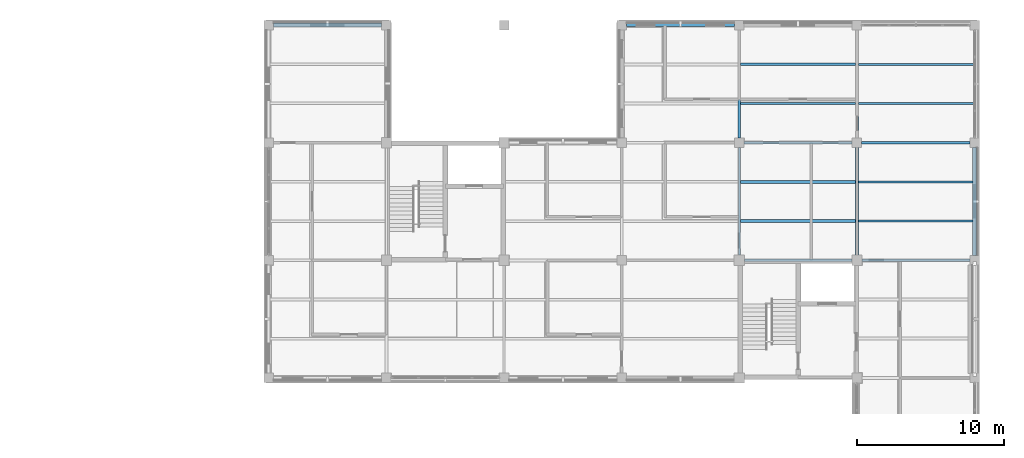
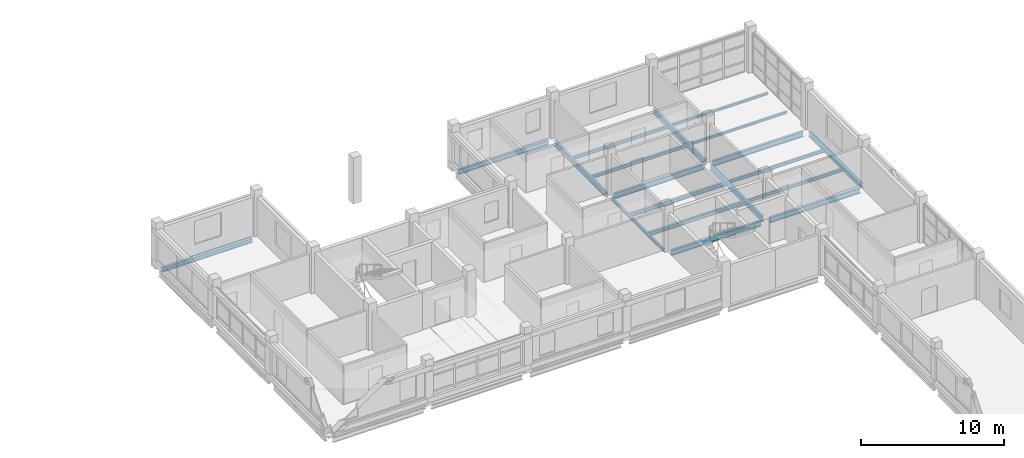
# One storey, part 46 of 92: 19 beams.
"""IFC4 building model written with IfcOpenShell, lengths in metres."""

from ifc_helpers import new_model, si_unit, derived_unit, direction, frame, origin, origin_2d, place, context, subcontext, project, spatial, i_section, extrude, material, material_profile, profile_set, type_object, element, save


model = new_model("IFC4")

# Units and contexts
model_context = context("Model", 3, precision=1e-05, world=origin(), true_north=direction((0.0, 1.0)))
body_context = subcontext(model_context, "Body", "Model", "MODEL_VIEW")
ifc_project = project(units=[si_unit("LENGTHUNIT", "METRE"), si_unit("AREAUNIT", "SQUARE_METRE"), si_unit("VOLUMEUNIT", "CUBIC_METRE"), si_unit("PLANEANGLEUNIT", "RADIAN"), si_unit("MASSUNIT", "GRAM", prefix="KILO"), derived_unit("THERMALTRANSMITTANCEUNIT", [(si_unit("MASSUNIT", "GRAM", prefix="KILO"), 1), (si_unit("TIMEUNIT", "SECOND"), -3), (si_unit("THERMODYNAMICTEMPERATUREUNIT", "KELVIN"), -1)])], contexts=[model_context])

# Site, building, storey
site_placement = place(None, origin())
site = spatial("IfcSite", under=ifc_project, at=site_placement, CompositionType="ELEMENT")
building_placement = place(site_placement, origin())
building = spatial("IfcBuilding", under=site, at=building_placement, Name="Veyamyaing Civic Hall", CompositionType="ELEMENT")
storey_placement = place(building_placement, frame((0.0, 0.0, 17.820068359375)))
storey = spatial("IfcBuildingStorey", under=building, at=storey_placement, Name="L04", CompositionType="ELEMENT", Elevation=17.820068359375)

# Beams
ifc_material = material(Name="Steel ASTM A992", Category="steel")
ifc_material_profile_1 = material_profile(ifc_material, i_section(OverallWidth=0.19189453125, OverallDepth=0.462890625, WebThickness=0.010498046875, FlangeThickness=0.017578125, FilletRadius=0.010009765625, at=origin_2d()), Name="W460X89")
ifc_profile_set_1 = profile_set([ifc_material_profile_1], Name="Steel ASTM A992")
beam_type_1 = type_object("IfcBeamType", Name="B-08", PredefinedType="BEAM", material=ifc_profile_set_1)
beam_1_placement = place(storey_placement, frame((160.35009765625, 96.0, -0.466552734375), z_axis=(1.0, 0.0, 0.0), x_axis=(0.0, 1.0, 0.0)))
element("IfcBeam", 1, at=beam_1_placement, inside=storey, type_object=beam_type_1, Name="Girder B-08 L04 Grid N 21-22", PredefinedType="BEAM", context=body_context, shape_type="SweptSolid", body=[
    extrude(i_section(OverallWidth=0.19189453125, OverallDepth=0.462890625, WebThickness=0.010498046875, FlangeThickness=0.017578125, FilletRadius=0.010009765625, at=origin_2d()), origin(), (0.0, 0.0, 1.0), 7.2998046875),
])
beam_2_placement = place(storey_placement, frame((160.0, 104.324951171875, -0.466552734375), z_axis=(0.0, 1.0, 0.0), x_axis=(-1.0, 0.0, 0.0)))
element("IfcBeam", 2, at=beam_2_placement, inside=storey, type_object=beam_type_1, Name="Girder B-08 L04 Grid 21 P-Q", PredefinedType="BEAM", context=body_context, shape_type="SweptSolid", body=[
    extrude(i_section(OverallWidth=0.19189453125, OverallDepth=0.462890625, WebThickness=0.010498046875, FlangeThickness=0.017578125, FilletRadius=0.010009765625, at=origin_2d()), origin(), (0.0, 0.0, 1.0), 7.35009765625),
])
beam_3_placement = place(storey_placement, frame((168.0, 96.35009765625, -0.466552734375), z_axis=(0.0, 1.0, 0.0), x_axis=(-1.0, 0.0, 0.0)))
element("IfcBeam", 3, at=beam_3_placement, inside=storey, type_object=beam_type_1, Name="Girder B-08 L04 Grid 22 N-P", PredefinedType="BEAM", context=body_context, shape_type="SweptSolid", body=[
    extrude(i_section(OverallWidth=0.19189453125, OverallDepth=0.462890625, WebThickness=0.010498046875, FlangeThickness=0.017578125, FilletRadius=0.010009765625, at=origin_2d()), origin(), (0.0, 0.0, 1.0), 7.324951171875),
])
ifc_material_profile_2 = material_profile(ifc_material, i_section(OverallWidth=0.18994140625, OverallDepth=0.45703125, WebThickness=0.009033203125, FlangeThickness=0.014404296875, FilletRadius=0.010009765625, at=origin_2d()), Name="W460X74")
ifc_profile_set_2 = profile_set([ifc_material_profile_2], Name="Steel ASTM A992")
beam_type_2 = type_object("IfcBeamType", Name="B-09", PredefinedType="BEAM", material=ifc_profile_set_2)
beam_4_placement = place(storey_placement, frame((168.35009765625, 96.0, -0.463623046875), z_axis=(1.0, 0.0, 0.0), x_axis=(0.0, 1.0, 0.0)))
element("IfcBeam", 4, at=beam_4_placement, inside=storey, type_object=beam_type_2, Name="Girder B-09 L04 Grid N 22-23", PredefinedType="BEAM", context=body_context, shape_type="SweptSolid", body=[
    extrude(i_section(OverallWidth=0.18994140625, OverallDepth=0.45703125, WebThickness=0.009033203125, FlangeThickness=0.014404296875, FilletRadius=0.010009765625, at=origin_2d()), origin(), (0.0, 0.0, 1.0), 7.324951171875),
])
for number, where, z_axis, x_axis, name in (
    (5, (160.324951171875, 104.0, -0.463623046875), (1.0, 0.0, 0.0), (0.0, 1.0, 0.0), "Girder B-09 L04 Grid P 21-22"),
    (6, (168.0, 104.324951171875, -0.463623046875), (0.0, 1.0, 0.0), (-1.0, 0.0, 0.0), "Girder B-09 L04 Grid 22 P-Q"),
):
    element("IfcBeam", number, at=place(storey_placement, frame(where, z_axis=z_axis, x_axis=x_axis)), inside=storey, type_object=beam_type_2, Name=name, PredefinedType="BEAM", context=body_context, shape_type="SweptSolid", body=[
        extrude(i_section(OverallWidth=0.18994140625, OverallDepth=0.45703125, WebThickness=0.009033203125, FlangeThickness=0.014404296875, FilletRadius=0.010009765625, at=origin_2d()), origin(), (0.0, 0.0, 1.0), 7.35009765625),
    ])
ifc_material_profile_3 = material_profile(ifc_material, i_section(OverallWidth=0.14599609375, OverallDepth=0.258056640625, WebThickness=0.006103515625, FlangeThickness=0.009033203125, FilletRadius=0.010009765625, at=origin_2d()), Name="W250X33")
ifc_profile_set_3 = profile_set([ifc_material_profile_3], Name="Steel ASTM A992")
beam_type_3 = type_object("IfcBeamType", Name="B-12", PredefinedType="BEAM", material=ifc_profile_set_3)
beam_5_placement = place(storey_placement, frame((160.0, 96.35009765625, -0.364013671875), z_axis=(0.0, 1.0, 0.0), x_axis=(-1.0, 0.0, 0.0)))
element("IfcBeam", 7, at=beam_5_placement, inside=storey, type_object=beam_type_3, Name="Girder B-12 L04 Grid 21 N-P", PredefinedType="BEAM", context=body_context, shape_type="SweptSolid", body=[
    extrude(i_section(OverallWidth=0.14599609375, OverallDepth=0.258056640625, WebThickness=0.006103515625, FlangeThickness=0.009033203125, FilletRadius=0.010009765625, at=origin_2d()), origin(), (0.0, 0.0, 1.0), 7.324951171875),
])
ifc_material_profile_4 = material_profile(ifc_material, i_section(OverallWidth=0.194091796875, OverallDepth=0.468994140625, WebThickness=0.0126953125, FlangeThickness=0.0205078125, FilletRadius=0.010009765625, at=origin_2d()), Name="W460X106")
ifc_profile_set_4 = profile_set([ifc_material_profile_4], Name="Steel ASTM A992")
beam_type_4 = type_object("IfcBeamType", Name="B-18", PredefinedType="BEAM", material=ifc_profile_set_4)
beam_6_placement = place(storey_placement, frame((168.324951171875, 104.0, -0.469482421875), z_axis=(1.0, 0.0, 0.0), x_axis=(0.0, 1.0, 0.0)))
element("IfcBeam", 8, at=beam_6_placement, inside=storey, type_object=beam_type_4, Name="Girder B-18 L04 Grid P 22-23", PredefinedType="BEAM", context=body_context, shape_type="SweptSolid", body=[
    extrude(i_section(OverallWidth=0.194091796875, OverallDepth=0.468994140625, WebThickness=0.0126953125, FlangeThickness=0.0205078125, FilletRadius=0.010009765625, at=origin_2d()), origin(), (0.0, 0.0, 1.0), 7.35009765625),
])
ifc_material_profile_5 = material_profile(ifc_material, i_section(OverallWidth=0.180908203125, OverallDepth=0.4169921875, WebThickness=0.010986328125, FlangeThickness=0.018310546875, FilletRadius=0.010009765625, at=origin_2d()), Name="W410X85")
ifc_profile_set_5 = profile_set([ifc_material_profile_5], Name="Steel ASTM A992")
beam_type_5 = type_object("IfcBeamType", Name="B-19", PredefinedType="SPANDREL", material=ifc_profile_set_5)
beam_7_placement = place(storey_placement, frame((152.324951171875, 112.0, -0.443603515625), z_axis=(1.0, 0.0, 0.0), x_axis=(0.0, 1.0, 0.0)))
element("IfcBeam", 9, at=beam_7_placement, inside=storey, type_object=beam_type_5, Name="Girder B-19 L04 Grid Q 20-21", PredefinedType="SPANDREL", context=body_context, shape_type="SweptSolid", body=[
    extrude(i_section(OverallWidth=0.180908203125, OverallDepth=0.4169921875, WebThickness=0.010986328125, FlangeThickness=0.018310546875, FilletRadius=0.010009765625, at=origin_2d()), origin(), (0.0, 0.0, 1.0), 7.35009765625),
])
ifc_material_profile_6 = material_profile(ifc_material, i_section(OverallWidth=0.25390625, OverallDepth=0.35302734375, WebThickness=0.009521484375, FlangeThickness=0.016357421875, FilletRadius=0.011962890625, at=origin_2d()), Name="W360X91")
ifc_profile_set_6 = profile_set([ifc_material_profile_6], Name="Steel ASTM A992")
beam_type_6 = type_object("IfcBeamType", Name="B-20", PredefinedType="SPANDREL", material=ifc_profile_set_6)
for number, where, z_axis, x_axis, name in (
    (10, (128.324951171875, 112.0, -0.41162109375), (1.0, 0.0, 0.0), (0.0, 1.0, 0.0), "Girder B-20 L04 Grid Q 17-18"),
    (11, (176.0, 96.324951171875, -0.41162109375), (0.0, 1.0, 0.0), (-1.0, 0.0, 0.0), "Girder B-20 L04 Grid 23 N-P"),
):
    element("IfcBeam", number, at=place(storey_placement, frame(where, z_axis=z_axis, x_axis=x_axis)), inside=storey, type_object=beam_type_6, Name=name, PredefinedType="SPANDREL", context=body_context, shape_type="SweptSolid", body=[
        extrude(i_section(OverallWidth=0.25390625, OverallDepth=0.35302734375, WebThickness=0.009521484375, FlangeThickness=0.016357421875, FilletRadius=0.011962890625, at=origin_2d()), origin(), (0.0, 0.0, 1.0), 7.35009765625),
    ])
ifc_material_profile_7 = material_profile(ifc_material, i_section(OverallWidth=0.2041015625, OverallDepth=0.305908203125, WebThickness=0.008544921875, FlangeThickness=0.0146484375, FilletRadius=0.010009765625, at=origin_2d()), Name="W310X67")
ifc_profile_set_7 = profile_set([ifc_material_profile_7], Name="Steel ASTM A992")
beam_type_7 = type_object("IfcBeamType", Name="J-06", PredefinedType="JOIST", material=ifc_profile_set_7)
for number, where, z_axis, x_axis, name in (
    (12, (160.071044921875, 98.666748046875, -0.38818359375), (1.0, 0.0, 0.0), (0.0, 1.0, 0.0), "Composite floor joist J-06 L04 21.13.1"),
    (13, (160.071044921875, 101.333251953125, -0.38818359375), (1.0, 0.0, 0.0), (0.0, 1.0, 0.0), "Composite floor joist J-06 L04 21.13.2"),
):
    element("IfcBeam", number, at=place(storey_placement, frame(where, z_axis=z_axis, x_axis=x_axis)), inside=storey, type_object=beam_type_7, Name=name, PredefinedType="JOIST", context=body_context, shape_type="SweptSolid", body=[
        extrude(i_section(OverallWidth=0.2041015625, OverallDepth=0.305908203125, WebThickness=0.008544921875, FlangeThickness=0.0146484375, FilletRadius=0.010009765625, at=origin_2d()), origin(), (0.0, 0.0, 1.0), 7.8349609375),
    ])
ifc_material_profile_8 = material_profile(ifc_material, i_section(OverallWidth=0.14794921875, OverallDepth=0.26611328125, WebThickness=0.007568359375, FlangeThickness=0.012939453125, FilletRadius=0.010009765625, at=origin_2d()), Name="W250X45")
ifc_profile_set_8 = profile_set([ifc_material_profile_8], Name="Steel ASTM A992")
beam_type_8 = type_object("IfcBeamType", Name="J-07", PredefinedType="JOIST", material=ifc_profile_set_8)
for number, where, z_axis, x_axis, name in (
    (14, (160.093994140625, 106.666748046875, -0.3681640625), (1.0, 0.0, 0.0), (0.0, 1.0, 0.0), "Composite floor joist J-07 L04 21.14.1"),
    (15, (160.093994140625, 109.333251953125, -0.3681640625), (1.0, 0.0, 0.0), (0.0, 1.0, 0.0), "Composite floor joist J-07 L04 21.14.2"),
):
    element("IfcBeam", number, at=place(storey_placement, frame(where, z_axis=z_axis, x_axis=x_axis)), inside=storey, type_object=beam_type_8, Name=name, PredefinedType="JOIST", context=body_context, shape_type="SweptSolid", body=[
        extrude(i_section(OverallWidth=0.14794921875, OverallDepth=0.26611328125, WebThickness=0.007568359375, FlangeThickness=0.012939453125, FilletRadius=0.010009765625, at=origin_2d()), origin(), (0.0, 0.0, 1.0), 7.81298828125),
    ])
for number, where, z_axis, x_axis, name in (
    (16, (168.093994140625, 98.666748046875, -0.3681640625), (1.0, 0.0, 0.0), (0.0, 1.0, 0.0), "Composite floor joist J-07 L04 22.13.1"),
    (17, (168.093994140625, 101.333251953125, -0.3681640625), (1.0, 0.0, 0.0), (0.0, 1.0, 0.0), "Composite floor joist J-07 L04 22.13.2"),
):
    element("IfcBeam", number, at=place(storey_placement, frame(where, z_axis=z_axis, x_axis=x_axis)), inside=storey, type_object=beam_type_8, Name=name, PredefinedType="JOIST", context=body_context, shape_type="SweptSolid", body=[
        extrude(i_section(OverallWidth=0.14794921875, OverallDepth=0.26611328125, WebThickness=0.007568359375, FlangeThickness=0.012939453125, FilletRadius=0.010009765625, at=origin_2d()), origin(), (0.0, 0.0, 1.0), 7.781005859375),
    ])
ifc_material_profile_9 = material_profile(ifc_material, i_section(OverallWidth=0.133056640625, OverallDepth=0.20703125, WebThickness=0.005859375, FlangeThickness=0.00830078125, FilletRadius=0.010009765625, at=origin_2d()), Name="W200X27")
ifc_profile_set_9 = profile_set([ifc_material_profile_9], Name="Steel ASTM A992")
beam_type_9 = type_object("IfcBeamType", Name="J-08", PredefinedType="JOIST", material=ifc_profile_set_9)
for number, where, z_axis, x_axis, name in (
    (18, (168.093017578125, 106.666748046875, -0.338623046875), (1.0, 0.0, 0.0), (0.0, 1.0, 0.0), "Composite floor joist J-08 L04 22.14.1"),
    (19, (168.093017578125, 109.333251953125, -0.338623046875), (1.0, 0.0, 0.0), (0.0, 1.0, 0.0), "Composite floor joist J-08 L04 22.14.2"),
):
    element("IfcBeam", number, at=place(storey_placement, frame(where, z_axis=z_axis, x_axis=x_axis)), inside=storey, type_object=beam_type_9, Name=name, PredefinedType="JOIST", context=body_context, shape_type="SweptSolid", body=[
        extrude(i_section(OverallWidth=0.133056640625, OverallDepth=0.20703125, WebThickness=0.005859375, FlangeThickness=0.00830078125, FilletRadius=0.010009765625, at=origin_2d()), origin(), (0.0, 0.0, 1.0), 7.819091796875),
    ])

save(model, "model.ifc")
